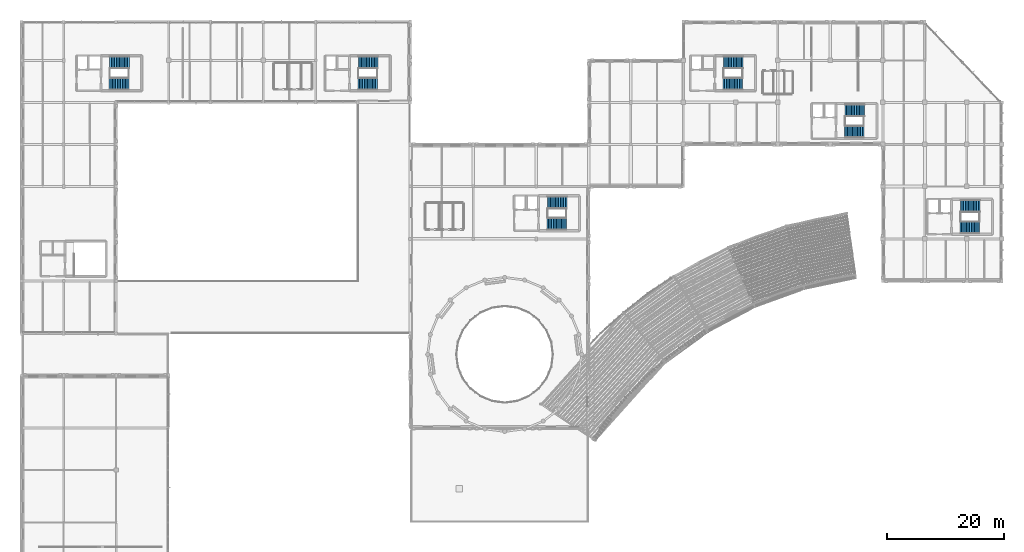
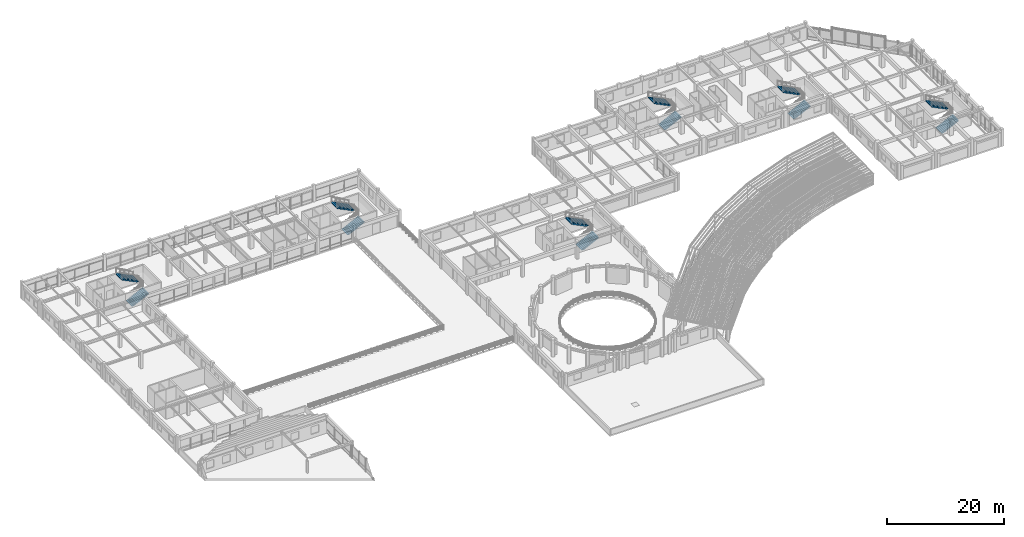
# One storey, part 56 of 74: 12 stair flights, 6 elements without a shape of their own.
"""IFC4 building model written with IfcOpenShell, lengths in metres."""

from ifc_helpers import new_model, si_unit, direction, frame, origin, place, context, subcontext, project, spatial, polyline, outline, extrude, material, type_object, element, aggregate, save


model = new_model("IFC4")

# Units and contexts
model_context = context("Model", 3, precision=1e-05, world=origin(), true_north=direction((0.0, 1.0)))
body_context = subcontext(model_context, "Body", "Model", "MODEL_VIEW")
ifc_project = project(units=[si_unit("LENGTHUNIT", "METRE"), si_unit("AREAUNIT", "SQUARE_METRE"), si_unit("VOLUMEUNIT", "CUBIC_METRE"), si_unit("PLANEANGLEUNIT", "RADIAN"), si_unit("MASSUNIT", "GRAM", prefix="KILO")], contexts=[model_context])

# Site, building, storey
site_placement = place(None, origin())
site = spatial("IfcSite", under=ifc_project, at=site_placement, CompositionType="ELEMENT")
building_placement = place(site_placement, origin())
building = spatial("IfcBuilding", under=site, at=building_placement, Name="Clarverna Civic Hall", CompositionType="ELEMENT")
storey_placement = place(building_placement, frame((0.0, 0.0, 13.199951171875)))
storey = spatial("IfcBuildingStorey", under=building, at=storey_placement, Name="L03", CompositionType="ELEMENT", Elevation=13.199951171875)

# Stair, stair flights
ifc_material = material(Name="Concrete C30/37", Category="concrete")
stair_type_1 = type_object("IfcStairType", Name="ST-H1", PredefinedType="HALF_TURN_STAIR", material=ifc_material)
stair_1_placement = place(storey_placement, origin())
stair_1 = element("IfcStair", 1, at=stair_1_placement, inside=storey, type_object=stair_type_1, Name="ST-H1:L03:0003", PredefinedType="HALF_TURN_STAIR")
stair_flight_type_1 = type_object("IfcStairFlightType", Name="SF-02", PredefinedType="STRAIGHT", material=ifc_material)
stair_flight_1_placement = place(storey_placement, frame((141.010009765625, 97.179931640625, 0.0), z_axis=(0.0, 0.0, 1.0), x_axis=(1.0, 0.0, 0.0)))
stair_flight_1 = element("IfcStairFlight", 2, at=stair_flight_1_placement, type_object=stair_flight_type_1, Name="SF-02:L03:0005", NumberOfRisers=13, NumberOfTreads=12, PredefinedType="STRAIGHT", RiserHeight=0.138462, TreadLength=0.28, context=body_context, shape_type="SweptSolid", body=[
    extrude(outline(polyline([(0.0, 0.0), (0.0, 0.138427734375), (0.280029296875, 0.138427734375), (0.280029296875, 0.27685546875), (0.56005859375, 0.27685546875), (0.56005859375, 0.415283203125), (0.840087890625, 0.415283203125), (0.840087890625, 0.553955078125), (1.1201171875, 0.553955078125), (1.1201171875, 0.6923828125), (1.39990234375, 0.6923828125), (1.39990234375, 0.830810546875), (1.679931640625, 0.830810546875), (1.679931640625, 0.96923828125), (1.9599609375, 0.96923828125), (1.9599609375, 1.107666015625), (2.239990234375, 1.107666015625), (2.239990234375, 1.24609375), (2.52001953125, 1.24609375), (2.52001953125, 1.384521484375), (2.800048828125, 1.384521484375), (2.800048828125, 1.523193359375), (3.080078125, 1.523193359375), (3.080078125, 1.66162109375), (3.360107421875, 1.66162109375), (3.360107421875, 1.800048828125), (3.360107421875, 1.460693359375), (0.406005859375, 0.0), (0.0, 0.0)])), frame((0.0, 1.02001953125, 0.0), z_axis=(0.0, -1.0, 0.0), x_axis=(1.0, 0.0, 0.0)), (0.0, 0.0, 1.0), 2.0400390625),
])
stair_flight_2_placement = place(storey_placement, frame((144.4599609375, 100.820068359375, 1.800048828125), z_axis=(0.0, 0.0, 1.0), x_axis=(-1.0, 0.0, 0.0)))
stair_flight_2 = element("IfcStairFlight", 3, at=stair_flight_2_placement, type_object=stair_flight_type_1, Name="SF-02:L03:0006", NumberOfRisers=13, NumberOfTreads=12, PredefinedType="STRAIGHT", RiserHeight=0.138462, TreadLength=0.28, context=body_context, shape_type="SweptSolid", body=[
    extrude(outline(polyline([(0.0, 0.0), (0.0, 0.138427734375), (0.280029296875, 0.138427734375), (0.280029296875, 0.27685546875), (0.56005859375, 0.27685546875), (0.56005859375, 0.415283203125), (0.840087890625, 0.415283203125), (0.840087890625, 0.553955078125), (1.1201171875, 0.553955078125), (1.1201171875, 0.6923828125), (1.39990234375, 0.6923828125), (1.39990234375, 0.830810546875), (1.679931640625, 0.830810546875), (1.679931640625, 0.96923828125), (1.9599609375, 0.96923828125), (1.9599609375, 1.107666015625), (2.239990234375, 1.107666015625), (2.239990234375, 1.24609375), (2.52001953125, 1.24609375), (2.52001953125, 1.384521484375), (2.800048828125, 1.384521484375), (2.800048828125, 1.523193359375), (3.080078125, 1.523193359375), (3.080078125, 1.66162109375), (3.360107421875, 1.66162109375), (3.360107421875, 1.800048828125), (3.360107421875, 1.460693359375), (0.406005859375, 0.0), (0.0, 0.0)])), frame((0.0, 1.02001953125, 0.0), z_axis=(0.0, -1.0, 0.0), x_axis=(1.0, 0.0, 0.0)), (0.0, 0.0, 1.0), 2.0400390625),
])
aggregate(stair_1, [stair_flight_1, stair_flight_2])

stair_2_placement = place(storey_placement, origin())
stair_2 = element("IfcStair", 4, at=stair_2_placement, inside=storey, type_object=stair_type_1, Name="ST-H1:L03:0009", PredefinedType="HALF_TURN_STAIR")
stair_flight_3_placement = place(storey_placement, frame((160.81005859375, 80.780029296875, 0.0), z_axis=(0.0, 0.0, 1.0), x_axis=(1.0, 0.0, 0.0)))
stair_flight_3 = element("IfcStairFlight", 5, at=stair_flight_3_placement, type_object=stair_flight_type_1, Name="SF-02:L03:0017", NumberOfRisers=13, NumberOfTreads=12, PredefinedType="STRAIGHT", RiserHeight=0.138462, TreadLength=0.28, context=body_context, shape_type="SweptSolid", body=[
    extrude(outline(polyline([(0.0, 0.0), (0.0, 0.138427734375), (0.280029296875, 0.138427734375), (0.280029296875, 0.27685546875), (0.56005859375, 0.27685546875), (0.56005859375, 0.415283203125), (0.840087890625, 0.415283203125), (0.840087890625, 0.553955078125), (1.1201171875, 0.553955078125), (1.1201171875, 0.6923828125), (1.39990234375, 0.6923828125), (1.39990234375, 0.830810546875), (1.679931640625, 0.830810546875), (1.679931640625, 0.96923828125), (1.9599609375, 0.96923828125), (1.9599609375, 1.107666015625), (2.239990234375, 1.107666015625), (2.239990234375, 1.24609375), (2.52001953125, 1.24609375), (2.52001953125, 1.384521484375), (2.800048828125, 1.384521484375), (2.800048828125, 1.523193359375), (3.080078125, 1.523193359375), (3.080078125, 1.66162109375), (3.360107421875, 1.66162109375), (3.360107421875, 1.800048828125), (3.360107421875, 1.460693359375), (0.406005859375, 0.0), (0.0, 0.0)])), frame((0.0, 1.02001953125, 0.0), z_axis=(0.0, -1.0, 0.0), x_axis=(1.0, 0.0, 0.0)), (0.0, 0.0, 1.0), 2.0400390625),
])
stair_flight_4_placement = place(storey_placement, frame((164.260009765625, 84.419921875, 1.800048828125), z_axis=(0.0, 0.0, 1.0), x_axis=(-1.0, 0.0, 0.0)))
stair_flight_4 = element("IfcStairFlight", 6, at=stair_flight_4_placement, type_object=stair_flight_type_1, Name="SF-02:L03:0018", NumberOfRisers=13, NumberOfTreads=12, PredefinedType="STRAIGHT", RiserHeight=0.138462, TreadLength=0.28, context=body_context, shape_type="SweptSolid", body=[
    extrude(outline(polyline([(0.0, 0.0), (0.0, 0.138427734375), (0.280029296875, 0.138427734375), (0.280029296875, 0.27685546875), (0.56005859375, 0.27685546875), (0.56005859375, 0.415283203125), (0.840087890625, 0.415283203125), (0.840087890625, 0.553955078125), (1.1201171875, 0.553955078125), (1.1201171875, 0.6923828125), (1.39990234375, 0.6923828125), (1.39990234375, 0.830810546875), (1.679931640625, 0.830810546875), (1.679931640625, 0.96923828125), (1.9599609375, 0.96923828125), (1.9599609375, 1.107666015625), (2.239990234375, 1.107666015625), (2.239990234375, 1.24609375), (2.52001953125, 1.24609375), (2.52001953125, 1.384521484375), (2.800048828125, 1.384521484375), (2.800048828125, 1.523193359375), (3.080078125, 1.523193359375), (3.080078125, 1.66162109375), (3.360107421875, 1.66162109375), (3.360107421875, 1.800048828125), (3.360107421875, 1.460693359375), (0.406005859375, 0.0), (0.0, 0.0)])), frame((0.0, 1.02001953125, 0.0), z_axis=(0.0, -1.0, 0.0), x_axis=(1.0, 0.0, 0.0)), (0.0, 0.0, 1.0), 2.0400390625),
])
aggregate(stair_2, [stair_flight_3, stair_flight_4])

stair_3_placement = place(storey_placement, origin())
stair_3 = element("IfcStair", 7, at=stair_3_placement, inside=storey, type_object=stair_type_1, Name="ST-H1:L03:0016", PredefinedType="HALF_TURN_STAIR")
stair_flight_5_placement = place(storey_placement, frame((15.010009765625, 105.3798828125, 0.0), z_axis=(0.0, 0.0, 1.0), x_axis=(1.0, 0.0, 0.0)))
stair_flight_5 = element("IfcStairFlight", 8, at=stair_flight_5_placement, type_object=stair_flight_type_1, Name="SF-02:L03:0029", NumberOfRisers=13, NumberOfTreads=12, PredefinedType="STRAIGHT", RiserHeight=0.138462, TreadLength=0.28, context=body_context, shape_type="SweptSolid", body=[
    extrude(outline(polyline([(0.0, 0.0), (0.0, 0.138427734375), (0.280029296875, 0.138427734375), (0.280029296875, 0.27685546875), (0.56005859375, 0.27685546875), (0.56005859375, 0.415283203125), (0.840087890625, 0.415283203125), (0.840087890625, 0.553955078125), (1.1201171875, 0.553955078125), (1.1201171875, 0.6923828125), (1.39990234375, 0.6923828125), (1.39990234375, 0.830810546875), (1.679931640625, 0.830810546875), (1.679931640625, 0.96923828125), (1.9599609375, 0.96923828125), (1.9599609375, 1.107666015625), (2.239990234375, 1.107666015625), (2.239990234375, 1.24609375), (2.52001953125, 1.24609375), (2.52001953125, 1.384521484375), (2.800048828125, 1.384521484375), (2.800048828125, 1.523193359375), (3.080078125, 1.523193359375), (3.080078125, 1.66162109375), (3.360107421875, 1.66162109375), (3.360107421875, 1.800048828125), (3.360107421875, 1.460693359375), (0.406005859375, 0.0), (0.0, 0.0)])), frame((0.0, 1.02001953125, 0.0), z_axis=(0.0, -1.0, 0.0), x_axis=(1.0, 0.0, 0.0)), (0.0, 0.0, 1.0), 2.0400390625),
])
stair_flight_6_placement = place(storey_placement, frame((18.4599609375, 109.02001953125, 1.800048828125), z_axis=(0.0, 0.0, 1.0), x_axis=(-1.0, 0.0, 0.0)))
stair_flight_6 = element("IfcStairFlight", 9, at=stair_flight_6_placement, type_object=stair_flight_type_1, Name="SF-02:L03:0030", NumberOfRisers=13, NumberOfTreads=12, PredefinedType="STRAIGHT", RiserHeight=0.138462, TreadLength=0.28, context=body_context, shape_type="SweptSolid", body=[
    extrude(outline(polyline([(0.0, 0.0), (0.0, 0.138427734375), (0.280029296875, 0.138427734375), (0.280029296875, 0.27685546875), (0.56005859375, 0.27685546875), (0.56005859375, 0.415283203125), (0.840087890625, 0.415283203125), (0.840087890625, 0.553955078125), (1.1201171875, 0.553955078125), (1.1201171875, 0.6923828125), (1.39990234375, 0.6923828125), (1.39990234375, 0.830810546875), (1.679931640625, 0.830810546875), (1.679931640625, 0.96923828125), (1.9599609375, 0.96923828125), (1.9599609375, 1.107666015625), (2.239990234375, 1.107666015625), (2.239990234375, 1.24609375), (2.52001953125, 1.24609375), (2.52001953125, 1.384521484375), (2.800048828125, 1.384521484375), (2.800048828125, 1.523193359375), (3.080078125, 1.523193359375), (3.080078125, 1.66162109375), (3.360107421875, 1.66162109375), (3.360107421875, 1.800048828125), (3.360107421875, 1.460693359375), (0.406005859375, 0.0), (0.0, 0.0)])), frame((0.0, 1.02001953125, 0.0), z_axis=(0.0, -1.0, 0.0), x_axis=(1.0, 0.0, 0.0)), (0.0, 0.0, 1.0), 2.0400390625),
])
aggregate(stair_3, [stair_flight_5, stair_flight_6])

stair_4_placement = place(storey_placement, origin())
stair_4 = element("IfcStair", 10, at=stair_4_placement, inside=storey, type_object=stair_type_1, Name="ST-H1:L03:0021", PredefinedType="HALF_TURN_STAIR")
stair_flight_7_placement = place(storey_placement, frame((120.2099609375, 105.3798828125, 0.0), z_axis=(0.0, 0.0, 1.0), x_axis=(1.0, 0.0, 0.0)))
stair_flight_7 = element("IfcStairFlight", 11, at=stair_flight_7_placement, type_object=stair_flight_type_1, Name="SF-02:L03:0043", NumberOfRisers=13, NumberOfTreads=12, PredefinedType="STRAIGHT", RiserHeight=0.138462, TreadLength=0.28, context=body_context, shape_type="SweptSolid", body=[
    extrude(outline(polyline([(0.0, 0.0), (0.0, 0.138427734375), (0.280029296875, 0.138427734375), (0.280029296875, 0.27685546875), (0.56005859375, 0.27685546875), (0.56005859375, 0.415283203125), (0.840087890625, 0.415283203125), (0.840087890625, 0.553955078125), (1.1201171875, 0.553955078125), (1.1201171875, 0.6923828125), (1.39990234375, 0.6923828125), (1.39990234375, 0.830810546875), (1.679931640625, 0.830810546875), (1.679931640625, 0.96923828125), (1.9599609375, 0.96923828125), (1.9599609375, 1.107666015625), (2.239990234375, 1.107666015625), (2.239990234375, 1.24609375), (2.52001953125, 1.24609375), (2.52001953125, 1.384521484375), (2.800048828125, 1.384521484375), (2.800048828125, 1.523193359375), (3.080078125, 1.523193359375), (3.080078125, 1.66162109375), (3.360107421875, 1.66162109375), (3.360107421875, 1.800048828125), (3.360107421875, 1.460693359375), (0.406005859375, 0.0), (0.0, 0.0)])), frame((0.0, 1.02001953125, 0.0), z_axis=(0.0, -1.0, 0.0), x_axis=(1.0, 0.0, 0.0)), (0.0, 0.0, 1.0), 2.0400390625),
])
stair_flight_8_placement = place(storey_placement, frame((123.659912109375, 109.02001953125, 1.800048828125), z_axis=(0.0, 0.0, 1.0), x_axis=(-1.0, 0.0, 0.0)))
stair_flight_8 = element("IfcStairFlight", 12, at=stair_flight_8_placement, type_object=stair_flight_type_1, Name="SF-02:L03:0044", NumberOfRisers=13, NumberOfTreads=12, PredefinedType="STRAIGHT", RiserHeight=0.138462, TreadLength=0.28, context=body_context, shape_type="SweptSolid", body=[
    extrude(outline(polyline([(0.0, 0.0), (0.0, 0.138427734375), (0.280029296875, 0.138427734375), (0.280029296875, 0.27685546875), (0.56005859375, 0.27685546875), (0.56005859375, 0.415283203125), (0.840087890625, 0.415283203125), (0.840087890625, 0.553955078125), (1.1201171875, 0.553955078125), (1.1201171875, 0.6923828125), (1.39990234375, 0.6923828125), (1.39990234375, 0.830810546875), (1.679931640625, 0.830810546875), (1.679931640625, 0.96923828125), (1.9599609375, 0.96923828125), (1.9599609375, 1.107666015625), (2.239990234375, 1.107666015625), (2.239990234375, 1.24609375), (2.52001953125, 1.24609375), (2.52001953125, 1.384521484375), (2.800048828125, 1.384521484375), (2.800048828125, 1.523193359375), (3.080078125, 1.523193359375), (3.080078125, 1.66162109375), (3.360107421875, 1.66162109375), (3.360107421875, 1.800048828125), (3.360107421875, 1.460693359375), (0.406005859375, 0.0), (0.0, 0.0)])), frame((0.0, 1.02001953125, 0.0), z_axis=(0.0, -1.0, 0.0), x_axis=(1.0, 0.0, 0.0)), (0.0, 0.0, 1.0), 2.0400390625),
])
aggregate(stair_4, [stair_flight_7, stair_flight_8])

stair_5_placement = place(storey_placement, origin())
stair_5 = element("IfcStair", 13, at=stair_5_placement, inside=storey, type_object=stair_type_1, Name="ST-H1:L03:0025", PredefinedType="HALF_TURN_STAIR")
stair_flight_9_placement = place(storey_placement, frame((57.610107421875, 105.3798828125, 0.0), z_axis=(0.0, 0.0, 1.0), x_axis=(1.0, 0.0, 0.0)))
stair_flight_9 = element("IfcStairFlight", 14, at=stair_flight_9_placement, type_object=stair_flight_type_1, Name="SF-02:L03:0051", NumberOfRisers=13, NumberOfTreads=12, PredefinedType="STRAIGHT", RiserHeight=0.138462, TreadLength=0.28, context=body_context, shape_type="SweptSolid", body=[
    extrude(outline(polyline([(0.0, 0.0), (0.0, 0.138427734375), (0.280029296875, 0.138427734375), (0.280029296875, 0.27685546875), (0.56005859375, 0.27685546875), (0.56005859375, 0.415283203125), (0.840087890625, 0.415283203125), (0.840087890625, 0.553955078125), (1.1201171875, 0.553955078125), (1.1201171875, 0.6923828125), (1.39990234375, 0.6923828125), (1.39990234375, 0.830810546875), (1.679931640625, 0.830810546875), (1.679931640625, 0.96923828125), (1.9599609375, 0.96923828125), (1.9599609375, 1.107666015625), (2.239990234375, 1.107666015625), (2.239990234375, 1.24609375), (2.52001953125, 1.24609375), (2.52001953125, 1.384521484375), (2.800048828125, 1.384521484375), (2.800048828125, 1.523193359375), (3.080078125, 1.523193359375), (3.080078125, 1.66162109375), (3.360107421875, 1.66162109375), (3.360107421875, 1.800048828125), (3.360107421875, 1.460693359375), (0.406005859375, 0.0), (0.0, 0.0)])), frame((0.0, 1.02001953125, 0.0), z_axis=(0.0, -1.0, 0.0), x_axis=(1.0, 0.0, 0.0)), (0.0, 0.0, 1.0), 2.0400390625),
])
stair_flight_10_placement = place(storey_placement, frame((61.06005859375, 109.02001953125, 1.800048828125), z_axis=(0.0, 0.0, 1.0), x_axis=(-1.0, 0.0, 0.0)))
stair_flight_10 = element("IfcStairFlight", 15, at=stair_flight_10_placement, type_object=stair_flight_type_1, Name="SF-02:L03:0052", NumberOfRisers=13, NumberOfTreads=12, PredefinedType="STRAIGHT", RiserHeight=0.138462, TreadLength=0.28, context=body_context, shape_type="SweptSolid", body=[
    extrude(outline(polyline([(0.0, 0.0), (0.0, 0.138427734375), (0.280029296875, 0.138427734375), (0.280029296875, 0.27685546875), (0.56005859375, 0.27685546875), (0.56005859375, 0.415283203125), (0.840087890625, 0.415283203125), (0.840087890625, 0.553955078125), (1.1201171875, 0.553955078125), (1.1201171875, 0.6923828125), (1.39990234375, 0.6923828125), (1.39990234375, 0.830810546875), (1.679931640625, 0.830810546875), (1.679931640625, 0.96923828125), (1.9599609375, 0.96923828125), (1.9599609375, 1.107666015625), (2.239990234375, 1.107666015625), (2.239990234375, 1.24609375), (2.52001953125, 1.24609375), (2.52001953125, 1.384521484375), (2.800048828125, 1.384521484375), (2.800048828125, 1.523193359375), (3.080078125, 1.523193359375), (3.080078125, 1.66162109375), (3.360107421875, 1.66162109375), (3.360107421875, 1.800048828125), (3.360107421875, 1.460693359375), (0.406005859375, 0.0), (0.0, 0.0)])), frame((0.0, 1.02001953125, 0.0), z_axis=(0.0, -1.0, 0.0), x_axis=(1.0, 0.0, 0.0)), (0.0, 0.0, 1.0), 2.0400390625),
])
aggregate(stair_5, [stair_flight_9, stair_flight_10])

stair_type_2 = type_object("IfcStairType", Name="ST-H2", PredefinedType="HALF_TURN_STAIR", material=ifc_material)
stair_6_placement = place(storey_placement, origin())
stair_6 = element("IfcStair", 16, at=stair_6_placement, inside=storey, type_object=stair_type_2, Name="ST-H2:L03:0003", PredefinedType="HALF_TURN_STAIR")
stair_flight_type_2 = type_object("IfcStairFlightType", Name="SF-03", PredefinedType="STRAIGHT", material=ifc_material)
stair_flight_11_placement = place(storey_placement, frame((90.010009765625, 81.39990234375, 0.0), z_axis=(0.0, 0.0, 1.0), x_axis=(1.0, 0.0, 0.0)))
stair_flight_11 = element("IfcStairFlight", 17, at=stair_flight_11_placement, type_object=stair_flight_type_2, Name="SF-03:L03:0005", NumberOfRisers=13, NumberOfTreads=12, PredefinedType="STRAIGHT", RiserHeight=0.138462, TreadLength=0.28, context=body_context, shape_type="SweptSolid", body=[
    extrude(outline(polyline([(0.0, 0.0), (0.0, 0.138427734375), (0.280029296875, 0.138427734375), (0.280029296875, 0.27685546875), (0.56005859375, 0.27685546875), (0.56005859375, 0.415283203125), (0.840087890625, 0.415283203125), (0.840087890625, 0.553955078125), (1.1201171875, 0.553955078125), (1.1201171875, 0.6923828125), (1.39990234375, 0.6923828125), (1.39990234375, 0.830810546875), (1.679931640625, 0.830810546875), (1.679931640625, 0.96923828125), (1.9599609375, 0.96923828125), (1.9599609375, 1.107666015625), (2.239990234375, 1.107666015625), (2.239990234375, 1.24609375), (2.52001953125, 1.24609375), (2.52001953125, 1.384521484375), (2.800048828125, 1.384521484375), (2.800048828125, 1.523193359375), (3.080078125, 1.523193359375), (3.080078125, 1.66162109375), (3.360107421875, 1.66162109375), (3.360107421875, 1.800048828125), (3.360107421875, 1.416259765625), (0.496337890625, 0.0), (0.0, 0.0)])), frame((0.0, 1.0400390625, 0.0), z_axis=(0.0, -1.0, 0.0), x_axis=(1.0, 0.0, 0.0)), (0.0, 0.0, 1.0), 2.080078125),
])
stair_flight_12_placement = place(storey_placement, frame((93.4599609375, 85.0, 1.800048828125), z_axis=(0.0, 0.0, 1.0), x_axis=(-1.0, 0.0, 0.0)))
stair_flight_12 = element("IfcStairFlight", 18, at=stair_flight_12_placement, type_object=stair_flight_type_2, Name="SF-03:L03:0006", NumberOfRisers=13, NumberOfTreads=12, PredefinedType="STRAIGHT", RiserHeight=0.138462, TreadLength=0.28, context=body_context, shape_type="SweptSolid", body=[
    extrude(outline(polyline([(0.0, 0.0), (0.0, 0.138427734375), (0.280029296875, 0.138427734375), (0.280029296875, 0.27685546875), (0.56005859375, 0.27685546875), (0.56005859375, 0.415283203125), (0.840087890625, 0.415283203125), (0.840087890625, 0.553955078125), (1.1201171875, 0.553955078125), (1.1201171875, 0.6923828125), (1.39990234375, 0.6923828125), (1.39990234375, 0.830810546875), (1.679931640625, 0.830810546875), (1.679931640625, 0.96923828125), (1.9599609375, 0.96923828125), (1.9599609375, 1.107666015625), (2.239990234375, 1.107666015625), (2.239990234375, 1.24609375), (2.52001953125, 1.24609375), (2.52001953125, 1.384521484375), (2.800048828125, 1.384521484375), (2.800048828125, 1.523193359375), (3.080078125, 1.523193359375), (3.080078125, 1.66162109375), (3.360107421875, 1.66162109375), (3.360107421875, 1.800048828125), (3.360107421875, 1.416259765625), (0.496337890625, 0.0), (0.0, 0.0)])), frame((0.0, 1.0400390625, 0.0), z_axis=(0.0, -1.0, 0.0), x_axis=(1.0, 0.0, 0.0)), (0.0, 0.0, 1.0), 2.080078125),
])
aggregate(stair_6, [stair_flight_11, stair_flight_12])

save(model, "model.ifc")
